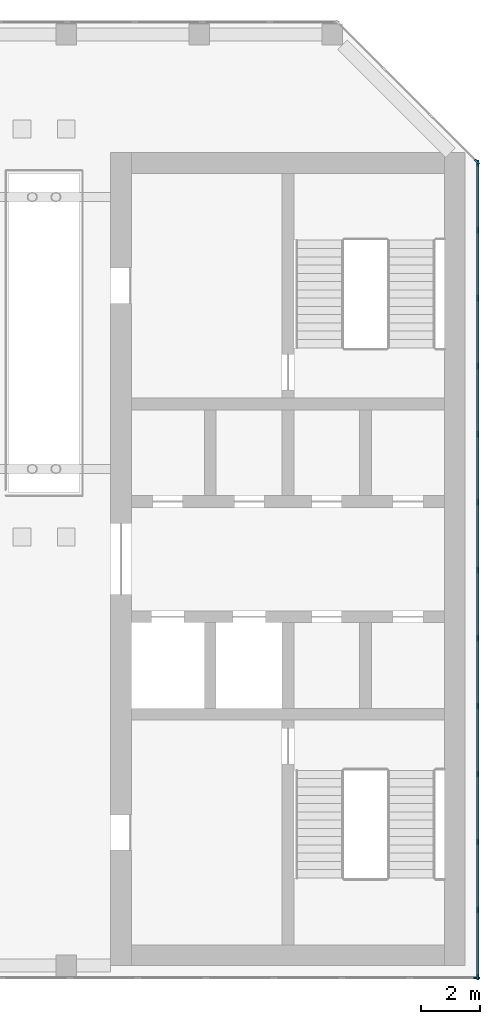
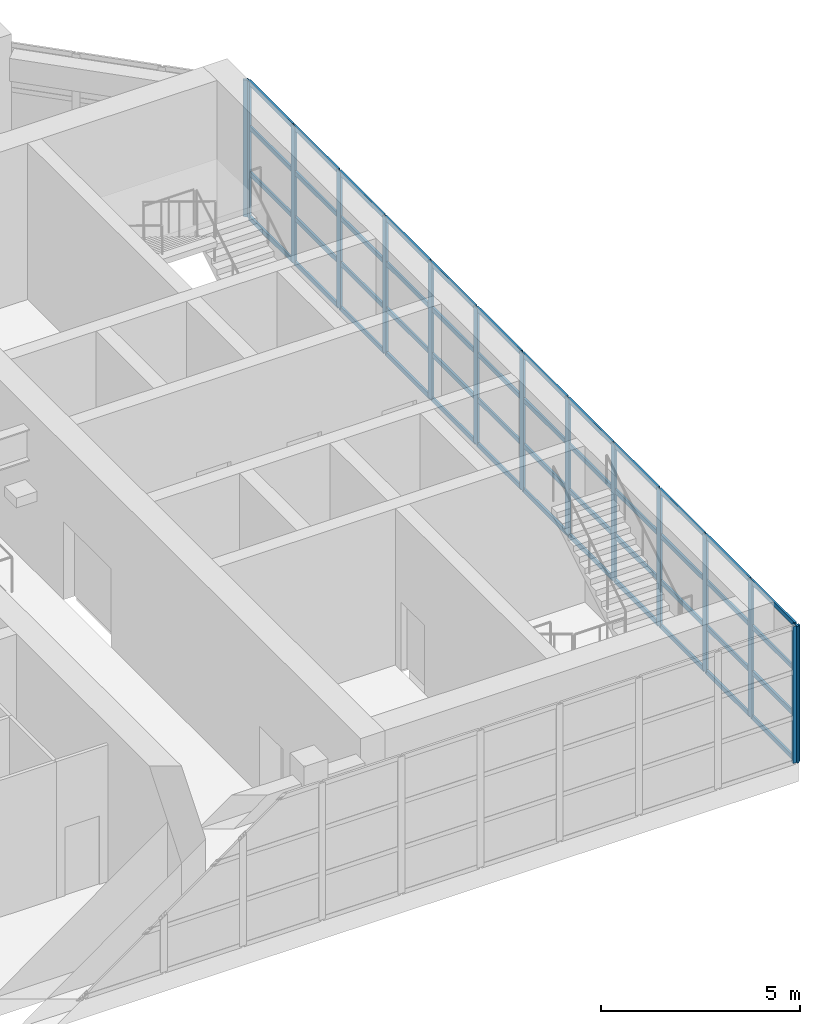
# One storey, part 5 of 13: 63 members, 3 elements without a shape of their own.
"""IFC4 building model written with IfcOpenShell, lengths in metres."""

from ifc_helpers import new_model, si_unit, direction, frame, origin, origin_2d, place, context, subcontext, project, spatial, rectangle, extrude, material, material_profile, profile_set, type_object, element, aggregate, save


model = new_model("IFC4")

# Units and contexts
model_context = context("Model", 3, precision=1e-05, world=origin(), true_north=direction((0.0, 1.0)))
body_context = subcontext(model_context, "Body", "Model", "MODEL_VIEW")
ifc_project = project(units=[si_unit("LENGTHUNIT", "METRE"), si_unit("AREAUNIT", "SQUARE_METRE"), si_unit("VOLUMEUNIT", "CUBIC_METRE"), si_unit("PLANEANGLEUNIT", "RADIAN"), si_unit("MASSUNIT", "GRAM", prefix="KILO")], contexts=[model_context])

# Site, building, storey
site_placement = place(None, origin())
site = spatial("IfcSite", under=ifc_project, at=site_placement, CompositionType="ELEMENT")
building_placement = place(site_placement, origin())
building = spatial("IfcBuilding", under=site, at=building_placement, Name="Corbel Stack Research Tower", CompositionType="ELEMENT")
storey_placement = place(building_placement, frame((0.0, 0.0, 316.60009765625)))
storey = spatial("IfcBuildingStorey", under=building, at=storey_placement, Name="L71", CompositionType="ELEMENT", Elevation=316.60009765625)

# Curtain wall, member
ifc_material_1 = material(Name="Aluminium and glass", Category="aluminium")
curtain_wall_type = type_object("IfcCurtainWallType", Name="CW4C damper hall glazing wall, corner", PredefinedType="NOTDEFINED", material=ifc_material_1)
curtain_wall_1_placement = place(storey_placement, origin())
curtain_wall_1 = element("IfcCurtainWall", 1, at=curtain_wall_1_placement, inside=storey, type_object=curtain_wall_type, Name="Damper hall curtain wall L71 5", PredefinedType="NOTDEFINED")
ifc_material_2 = material(Name="Aluminium, anodised", Category="aluminium")
ifc_material_profile_1 = material_profile(ifc_material_2, rectangle(XDim=0.06005859375, YDim=0.199951171875, at=origin_2d()), Name="CW4 mullion 60 x 200")
ifc_profile_set_1 = profile_set([ifc_material_profile_1], Name="Aluminium, anodised")
member_type_1 = type_object("IfcMemberType", Name="CW4 mullion 60 x 200", PredefinedType="MULLION", material=ifc_profile_set_1)
member_1_placement = place(storey_placement, frame((18.398681640625, 18.1953125, 0.0), z_axis=(0.0, 0.0, 1.0), x_axis=(0.707106781187, 0.707106781187, 0.0)))
member_1 = element("IfcMember", 2, at=member_1_placement, type_object=member_type_1, Name="CW4C mullion 4", PredefinedType="MULLION", context=body_context, shape_type="SweptSolid", body=[
    extrude(rectangle(XDim=0.06005859375, YDim=0.199951171875, at=origin_2d()), origin(), (0.0, 0.0, 1.0), 4.199951171875),
])
aggregate(curtain_wall_1, [member_1])

# Curtain wall, members
curtain_wall_2_placement = place(storey_placement, origin())
curtain_wall_2 = element("IfcCurtainWall", 3, at=curtain_wall_2_placement, inside=storey, type_object=curtain_wall_type, Name="Damper hall curtain wall L71 6", PredefinedType="NOTDEFINED")
member_2_placement = place(storey_placement, frame((18.419921875, 18.14404296875, 0.0), z_axis=(0.0, 0.0, 1.0), x_axis=(1.0, 0.0, 0.0)))
member_2 = element("IfcMember", 4, at=member_2_placement, type_object=member_type_1, Name="CW4C mullion 1", PredefinedType="MULLION", context=body_context, shape_type="SweptSolid", body=[
    extrude(rectangle(XDim=0.06005859375, YDim=0.199951171875, at=origin_2d()), origin(), (0.0, 0.0, 1.0), 4.199951171875),
])
member_3_placement = place(storey_placement, frame((18.419921875, 15.87451171875, 0.0), z_axis=(0.0, 0.0, 1.0), x_axis=(1.0, 0.0, 0.0)))
member_3 = element("IfcMember", 5, at=member_3_placement, type_object=member_type_1, Name="CW4C mullion 2", PredefinedType="MULLION", context=body_context, shape_type="SweptSolid", body=[
    extrude(rectangle(XDim=0.06005859375, YDim=0.199951171875, at=origin_2d()), origin(), (0.0, 0.0, 1.0), 4.199951171875),
])
member_4_placement = place(storey_placement, frame((18.419921875, 13.574951171875, 0.0), z_axis=(0.0, 0.0, 1.0), x_axis=(1.0, 0.0, 0.0)))
member_4 = element("IfcMember", 6, at=member_4_placement, type_object=member_type_1, Name="CW4C mullion 3", PredefinedType="MULLION", context=body_context, shape_type="SweptSolid", body=[
    extrude(rectangle(XDim=0.06005859375, YDim=0.199951171875, at=origin_2d()), origin(), (0.0, 0.0, 1.0), 4.199951171875),
])
member_5_placement = place(storey_placement, frame((18.419921875, 11.275390625, 0.0), z_axis=(0.0, 0.0, 1.0), x_axis=(1.0, 0.0, 0.0)))
member_5 = element("IfcMember", 7, at=member_5_placement, type_object=member_type_1, Name="CW4C mullion 4", PredefinedType="MULLION", context=body_context, shape_type="SweptSolid", body=[
    extrude(rectangle(XDim=0.06005859375, YDim=0.199951171875, at=origin_2d()), origin(), (0.0, 0.0, 1.0), 4.199951171875),
])
member_6_placement = place(storey_placement, frame((18.419921875, 8.97607421875, 0.0), z_axis=(0.0, 0.0, 1.0), x_axis=(1.0, 0.0, 0.0)))
member_6 = element("IfcMember", 8, at=member_6_placement, type_object=member_type_1, Name="CW4C mullion 5", PredefinedType="MULLION", context=body_context, shape_type="SweptSolid", body=[
    extrude(rectangle(XDim=0.06005859375, YDim=0.199951171875, at=origin_2d()), origin(), (0.0, 0.0, 1.0), 4.199951171875),
])
member_7_placement = place(storey_placement, frame((18.419921875, 6.676513671875, 0.0), z_axis=(0.0, 0.0, 1.0), x_axis=(1.0, 0.0, 0.0)))
member_7 = element("IfcMember", 9, at=member_7_placement, type_object=member_type_1, Name="CW4C mullion 6", PredefinedType="MULLION", context=body_context, shape_type="SweptSolid", body=[
    extrude(rectangle(XDim=0.06005859375, YDim=0.199951171875, at=origin_2d()), origin(), (0.0, 0.0, 1.0), 4.199951171875),
])
member_8_placement = place(storey_placement, frame((18.419921875, 4.376953125, 0.0), z_axis=(0.0, 0.0, 1.0), x_axis=(1.0, 0.0, 0.0)))
member_8 = element("IfcMember", 10, at=member_8_placement, type_object=member_type_1, Name="CW4C mullion 7", PredefinedType="MULLION", context=body_context, shape_type="SweptSolid", body=[
    extrude(rectangle(XDim=0.06005859375, YDim=0.199951171875, at=origin_2d()), origin(), (0.0, 0.0, 1.0), 4.199951171875),
])
member_9_placement = place(storey_placement, frame((18.419921875, 2.077392578125, 0.0), z_axis=(0.0, 0.0, 1.0), x_axis=(1.0, 0.0, 0.0)))
member_9 = element("IfcMember", 11, at=member_9_placement, type_object=member_type_1, Name="CW4C mullion 8", PredefinedType="MULLION", context=body_context, shape_type="SweptSolid", body=[
    extrude(rectangle(XDim=0.06005859375, YDim=0.199951171875, at=origin_2d()), origin(), (0.0, 0.0, 1.0), 4.199951171875),
])
member_10_placement = place(storey_placement, frame((18.419921875, -0.221923828125, 0.0), z_axis=(0.0, 0.0, 1.0), x_axis=(1.0, 0.0, 0.0)))
member_10 = element("IfcMember", 12, at=member_10_placement, type_object=member_type_1, Name="CW4C mullion 9", PredefinedType="MULLION", context=body_context, shape_type="SweptSolid", body=[
    extrude(rectangle(XDim=0.06005859375, YDim=0.199951171875, at=origin_2d()), origin(), (0.0, 0.0, 1.0), 4.199951171875),
])
member_11_placement = place(storey_placement, frame((18.419921875, -2.521484375, 0.0), z_axis=(0.0, 0.0, 1.0), x_axis=(1.0, 0.0, 0.0)))
member_11 = element("IfcMember", 13, at=member_11_placement, type_object=member_type_1, Name="CW4C mullion 10", PredefinedType="MULLION", context=body_context, shape_type="SweptSolid", body=[
    extrude(rectangle(XDim=0.06005859375, YDim=0.199951171875, at=origin_2d()), origin(), (0.0, 0.0, 1.0), 4.199951171875),
])
member_12_placement = place(storey_placement, frame((18.419921875, -4.821044921875, 0.0), z_axis=(0.0, 0.0, 1.0), x_axis=(1.0, 0.0, 0.0)))
member_12 = element("IfcMember", 14, at=member_12_placement, type_object=member_type_1, Name="CW4C mullion 11", PredefinedType="MULLION", context=body_context, shape_type="SweptSolid", body=[
    extrude(rectangle(XDim=0.06005859375, YDim=0.199951171875, at=origin_2d()), origin(), (0.0, 0.0, 1.0), 4.199951171875),
])
member_13_placement = place(storey_placement, frame((18.419921875, -7.12060546875, 0.0), z_axis=(0.0, 0.0, 1.0), x_axis=(1.0, 0.0, 0.0)))
member_13 = element("IfcMember", 15, at=member_13_placement, type_object=member_type_1, Name="CW4C mullion 12", PredefinedType="MULLION", context=body_context, shape_type="SweptSolid", body=[
    extrude(rectangle(XDim=0.06005859375, YDim=0.199951171875, at=origin_2d()), origin(), (0.0, 0.0, 1.0), 4.199951171875),
])
member_14_placement = place(storey_placement, frame((18.419921875, -9.389892578125, 0.0), z_axis=(0.0, 0.0, 1.0), x_axis=(1.0, 0.0, 0.0)))
member_14 = element("IfcMember", 16, at=member_14_placement, type_object=member_type_1, Name="CW4C mullion 13", PredefinedType="MULLION", context=body_context, shape_type="SweptSolid", body=[
    extrude(rectangle(XDim=0.06005859375, YDim=0.199951171875, at=origin_2d()), origin(), (0.0, 0.0, 1.0), 4.199951171875),
])

# Curtain wall, member
curtain_wall_3_placement = place(storey_placement, origin())
curtain_wall_3 = element("IfcCurtainWall", 17, at=curtain_wall_3_placement, inside=storey, type_object=curtain_wall_type, Name="Damper hall curtain wall L71 7", PredefinedType="NOTDEFINED")
member_15_placement = place(storey_placement, frame((18.389892578125, -9.419921875, 0.0), z_axis=(0.0, 0.0, 1.0), x_axis=(0.0, -1.0, 0.0)))
member_15 = element("IfcMember", 18, at=member_15_placement, type_object=member_type_1, Name="CW4C mullion 1", PredefinedType="MULLION", context=body_context, shape_type="SweptSolid", body=[
    extrude(rectangle(XDim=0.06005859375, YDim=0.199951171875, at=origin_2d()), origin(), (0.0, 0.0, 1.0), 4.199951171875),
])
aggregate(curtain_wall_3, [member_15])

# Member
ifc_material_3 = material(Name="Aluminium, anodised", Category="aluminium")
ifc_material_profile_2 = material_profile(ifc_material_3, rectangle(XDim=0.06005859375, YDim=0.139892578125, at=origin_2d()), Name="CW4 transom 60 x 140")
ifc_profile_set_2 = profile_set([ifc_material_profile_2], Name="Aluminium, anodised")
member_type_2 = type_object("IfcMemberType", Name="CW4 transom 60 x 140", PredefinedType="USERDEFINED", material=ifc_profile_set_2)
member_16_placement = place(storey_placement, frame((18.419921875, 18.114013671875, 0.02978515625), z_axis=(0.0, -1.0, 0.0), x_axis=(1.0, 0.0, 0.0)))
member_16 = element("IfcMember", 19, at=member_16_placement, type_object=member_type_2, Name="CW4C transom 1.1", ObjectType="TRANSOM", PredefinedType="USERDEFINED", context=body_context, shape_type="SweptSolid", body=[
    extrude(rectangle(XDim=0.06005859375, YDim=0.139892578125, at=origin_2d()), origin(), (0.0, 0.0, 1.0), 2.20947265625),
])

member_17_placement = place(storey_placement, frame((18.419921875, 18.114013671875, 1.39990234375), z_axis=(0.0, -1.0, 0.0), x_axis=(1.0, 0.0, 0.0)))
member_17 = element("IfcMember", 20, at=member_17_placement, type_object=member_type_2, Name="CW4C transom 1.2", ObjectType="TRANSOM", PredefinedType="USERDEFINED", context=body_context, shape_type="SweptSolid", body=[
    extrude(rectangle(XDim=0.06005859375, YDim=0.139892578125, at=origin_2d()), origin(), (0.0, 0.0, 1.0), 2.20947265625),
])

member_18_placement = place(storey_placement, frame((18.419921875, 18.114013671875, 2.7998046875), z_axis=(0.0, -1.0, 0.0), x_axis=(1.0, 0.0, 0.0)))
member_18 = element("IfcMember", 21, at=member_18_placement, type_object=member_type_2, Name="CW4C transom 1.3", ObjectType="TRANSOM", PredefinedType="USERDEFINED", context=body_context, shape_type="SweptSolid", body=[
    extrude(rectangle(XDim=0.06005859375, YDim=0.139892578125, at=origin_2d()), origin(), (0.0, 0.0, 1.0), 2.20947265625),
])

member_19_placement = place(storey_placement, frame((18.419921875, 18.114013671875, 4.169921875), z_axis=(0.0, -1.0, 0.0), x_axis=(1.0, 0.0, 0.0)))
member_19 = element("IfcMember", 22, at=member_19_placement, type_object=member_type_2, Name="CW4C transom 1.4", ObjectType="TRANSOM", PredefinedType="USERDEFINED", context=body_context, shape_type="SweptSolid", body=[
    extrude(rectangle(XDim=0.06005859375, YDim=0.139892578125, at=origin_2d()), origin(), (0.0, 0.0, 1.0), 2.20947265625),
])

member_20_placement = place(storey_placement, frame((18.419921875, 15.844482421875, 0.02978515625), z_axis=(0.0, -1.0, 0.0), x_axis=(1.0, 0.0, 0.0)))
member_20 = element("IfcMember", 23, at=member_20_placement, type_object=member_type_2, Name="CW4C transom 2.1", ObjectType="TRANSOM", PredefinedType="USERDEFINED", context=body_context, shape_type="SweptSolid", body=[
    extrude(rectangle(XDim=0.06005859375, YDim=0.139892578125, at=origin_2d()), origin(), (0.0, 0.0, 1.0), 2.239501953125),
])

member_21_placement = place(storey_placement, frame((18.419921875, 15.844482421875, 1.39990234375), z_axis=(0.0, -1.0, 0.0), x_axis=(1.0, 0.0, 0.0)))
member_21 = element("IfcMember", 24, at=member_21_placement, type_object=member_type_2, Name="CW4C transom 2.2", ObjectType="TRANSOM", PredefinedType="USERDEFINED", context=body_context, shape_type="SweptSolid", body=[
    extrude(rectangle(XDim=0.06005859375, YDim=0.139892578125, at=origin_2d()), origin(), (0.0, 0.0, 1.0), 2.239501953125),
])

member_22_placement = place(storey_placement, frame((18.419921875, 15.844482421875, 2.7998046875), z_axis=(0.0, -1.0, 0.0), x_axis=(1.0, 0.0, 0.0)))
member_22 = element("IfcMember", 25, at=member_22_placement, type_object=member_type_2, Name="CW4C transom 2.3", ObjectType="TRANSOM", PredefinedType="USERDEFINED", context=body_context, shape_type="SweptSolid", body=[
    extrude(rectangle(XDim=0.06005859375, YDim=0.139892578125, at=origin_2d()), origin(), (0.0, 0.0, 1.0), 2.239501953125),
])

member_23_placement = place(storey_placement, frame((18.419921875, 15.844482421875, 4.169921875), z_axis=(0.0, -1.0, 0.0), x_axis=(1.0, 0.0, 0.0)))
member_23 = element("IfcMember", 26, at=member_23_placement, type_object=member_type_2, Name="CW4C transom 2.4", ObjectType="TRANSOM", PredefinedType="USERDEFINED", context=body_context, shape_type="SweptSolid", body=[
    extrude(rectangle(XDim=0.06005859375, YDim=0.139892578125, at=origin_2d()), origin(), (0.0, 0.0, 1.0), 2.239501953125),
])

member_24_placement = place(storey_placement, frame((18.419921875, 13.544921875, 0.02978515625), z_axis=(0.0, -1.0, 0.0), x_axis=(1.0, 0.0, 0.0)))
member_24 = element("IfcMember", 27, at=member_24_placement, type_object=member_type_2, Name="CW4C transom 3.1", ObjectType="TRANSOM", PredefinedType="USERDEFINED", context=body_context, shape_type="SweptSolid", body=[
    extrude(rectangle(XDim=0.06005859375, YDim=0.139892578125, at=origin_2d()), origin(), (0.0, 0.0, 1.0), 2.239501953125),
])

member_25_placement = place(storey_placement, frame((18.419921875, 13.544921875, 1.39990234375), z_axis=(0.0, -1.0, 0.0), x_axis=(1.0, 0.0, 0.0)))
member_25 = element("IfcMember", 28, at=member_25_placement, type_object=member_type_2, Name="CW4C transom 3.2", ObjectType="TRANSOM", PredefinedType="USERDEFINED", context=body_context, shape_type="SweptSolid", body=[
    extrude(rectangle(XDim=0.06005859375, YDim=0.139892578125, at=origin_2d()), origin(), (0.0, 0.0, 1.0), 2.239501953125),
])

member_26_placement = place(storey_placement, frame((18.419921875, 13.544921875, 2.7998046875), z_axis=(0.0, -1.0, 0.0), x_axis=(1.0, 0.0, 0.0)))
member_26 = element("IfcMember", 29, at=member_26_placement, type_object=member_type_2, Name="CW4C transom 3.3", ObjectType="TRANSOM", PredefinedType="USERDEFINED", context=body_context, shape_type="SweptSolid", body=[
    extrude(rectangle(XDim=0.06005859375, YDim=0.139892578125, at=origin_2d()), origin(), (0.0, 0.0, 1.0), 2.239501953125),
])

member_27_placement = place(storey_placement, frame((18.419921875, 13.544921875, 4.169921875), z_axis=(0.0, -1.0, 0.0), x_axis=(1.0, 0.0, 0.0)))
member_27 = element("IfcMember", 30, at=member_27_placement, type_object=member_type_2, Name="CW4C transom 3.4", ObjectType="TRANSOM", PredefinedType="USERDEFINED", context=body_context, shape_type="SweptSolid", body=[
    extrude(rectangle(XDim=0.06005859375, YDim=0.139892578125, at=origin_2d()), origin(), (0.0, 0.0, 1.0), 2.239501953125),
])

member_28_placement = place(storey_placement, frame((18.419921875, 11.24560546875, 0.02978515625), z_axis=(0.0, -1.0, 0.0), x_axis=(1.0, 0.0, 0.0)))
member_28 = element("IfcMember", 31, at=member_28_placement, type_object=member_type_2, Name="CW4C transom 4.1", ObjectType="TRANSOM", PredefinedType="USERDEFINED", context=body_context, shape_type="SweptSolid", body=[
    extrude(rectangle(XDim=0.06005859375, YDim=0.139892578125, at=origin_2d()), origin(), (0.0, 0.0, 1.0), 2.239501953125),
])

member_29_placement = place(storey_placement, frame((18.419921875, 11.24560546875, 1.39990234375), z_axis=(0.0, -1.0, 0.0), x_axis=(1.0, 0.0, 0.0)))
member_29 = element("IfcMember", 32, at=member_29_placement, type_object=member_type_2, Name="CW4C transom 4.2", ObjectType="TRANSOM", PredefinedType="USERDEFINED", context=body_context, shape_type="SweptSolid", body=[
    extrude(rectangle(XDim=0.06005859375, YDim=0.139892578125, at=origin_2d()), origin(), (0.0, 0.0, 1.0), 2.239501953125),
])

member_30_placement = place(storey_placement, frame((18.419921875, 11.24560546875, 2.7998046875), z_axis=(0.0, -1.0, 0.0), x_axis=(1.0, 0.0, 0.0)))
member_30 = element("IfcMember", 33, at=member_30_placement, type_object=member_type_2, Name="CW4C transom 4.3", ObjectType="TRANSOM", PredefinedType="USERDEFINED", context=body_context, shape_type="SweptSolid", body=[
    extrude(rectangle(XDim=0.06005859375, YDim=0.139892578125, at=origin_2d()), origin(), (0.0, 0.0, 1.0), 2.239501953125),
])

member_31_placement = place(storey_placement, frame((18.419921875, 11.24560546875, 4.169921875), z_axis=(0.0, -1.0, 0.0), x_axis=(1.0, 0.0, 0.0)))
member_31 = element("IfcMember", 34, at=member_31_placement, type_object=member_type_2, Name="CW4C transom 4.4", ObjectType="TRANSOM", PredefinedType="USERDEFINED", context=body_context, shape_type="SweptSolid", body=[
    extrude(rectangle(XDim=0.06005859375, YDim=0.139892578125, at=origin_2d()), origin(), (0.0, 0.0, 1.0), 2.239501953125),
])

member_32_placement = place(storey_placement, frame((18.419921875, 8.946044921875, 0.02978515625), z_axis=(0.0, -1.0, 0.0), x_axis=(1.0, 0.0, 0.0)))
member_32 = element("IfcMember", 35, at=member_32_placement, type_object=member_type_2, Name="CW4C transom 5.1", ObjectType="TRANSOM", PredefinedType="USERDEFINED", context=body_context, shape_type="SweptSolid", body=[
    extrude(rectangle(XDim=0.06005859375, YDim=0.139892578125, at=origin_2d()), origin(), (0.0, 0.0, 1.0), 2.239501953125),
])

member_33_placement = place(storey_placement, frame((18.419921875, 8.946044921875, 1.39990234375), z_axis=(0.0, -1.0, 0.0), x_axis=(1.0, 0.0, 0.0)))
member_33 = element("IfcMember", 36, at=member_33_placement, type_object=member_type_2, Name="CW4C transom 5.2", ObjectType="TRANSOM", PredefinedType="USERDEFINED", context=body_context, shape_type="SweptSolid", body=[
    extrude(rectangle(XDim=0.06005859375, YDim=0.139892578125, at=origin_2d()), origin(), (0.0, 0.0, 1.0), 2.239501953125),
])

member_34_placement = place(storey_placement, frame((18.419921875, 8.946044921875, 2.7998046875), z_axis=(0.0, -1.0, 0.0), x_axis=(1.0, 0.0, 0.0)))
member_34 = element("IfcMember", 37, at=member_34_placement, type_object=member_type_2, Name="CW4C transom 5.3", ObjectType="TRANSOM", PredefinedType="USERDEFINED", context=body_context, shape_type="SweptSolid", body=[
    extrude(rectangle(XDim=0.06005859375, YDim=0.139892578125, at=origin_2d()), origin(), (0.0, 0.0, 1.0), 2.239501953125),
])

member_35_placement = place(storey_placement, frame((18.419921875, 8.946044921875, 4.169921875), z_axis=(0.0, -1.0, 0.0), x_axis=(1.0, 0.0, 0.0)))
member_35 = element("IfcMember", 38, at=member_35_placement, type_object=member_type_2, Name="CW4C transom 5.4", ObjectType="TRANSOM", PredefinedType="USERDEFINED", context=body_context, shape_type="SweptSolid", body=[
    extrude(rectangle(XDim=0.06005859375, YDim=0.139892578125, at=origin_2d()), origin(), (0.0, 0.0, 1.0), 2.239501953125),
])

member_36_placement = place(storey_placement, frame((18.419921875, 6.646484375, 0.02978515625), z_axis=(0.0, -1.0, 0.0), x_axis=(1.0, 0.0, 0.0)))
member_36 = element("IfcMember", 39, at=member_36_placement, type_object=member_type_2, Name="CW4C transom 6.1", ObjectType="TRANSOM", PredefinedType="USERDEFINED", context=body_context, shape_type="SweptSolid", body=[
    extrude(rectangle(XDim=0.06005859375, YDim=0.139892578125, at=origin_2d()), origin(), (0.0, 0.0, 1.0), 2.239501953125),
])

member_37_placement = place(storey_placement, frame((18.419921875, 6.646484375, 1.39990234375), z_axis=(0.0, -1.0, 0.0), x_axis=(1.0, 0.0, 0.0)))
member_37 = element("IfcMember", 40, at=member_37_placement, type_object=member_type_2, Name="CW4C transom 6.2", ObjectType="TRANSOM", PredefinedType="USERDEFINED", context=body_context, shape_type="SweptSolid", body=[
    extrude(rectangle(XDim=0.06005859375, YDim=0.139892578125, at=origin_2d()), origin(), (0.0, 0.0, 1.0), 2.239501953125),
])

member_38_placement = place(storey_placement, frame((18.419921875, 6.646484375, 2.7998046875), z_axis=(0.0, -1.0, 0.0), x_axis=(1.0, 0.0, 0.0)))
member_38 = element("IfcMember", 41, at=member_38_placement, type_object=member_type_2, Name="CW4C transom 6.3", ObjectType="TRANSOM", PredefinedType="USERDEFINED", context=body_context, shape_type="SweptSolid", body=[
    extrude(rectangle(XDim=0.06005859375, YDim=0.139892578125, at=origin_2d()), origin(), (0.0, 0.0, 1.0), 2.239501953125),
])

member_39_placement = place(storey_placement, frame((18.419921875, 6.646484375, 4.169921875), z_axis=(0.0, -1.0, 0.0), x_axis=(1.0, 0.0, 0.0)))
member_39 = element("IfcMember", 42, at=member_39_placement, type_object=member_type_2, Name="CW4C transom 6.4", ObjectType="TRANSOM", PredefinedType="USERDEFINED", context=body_context, shape_type="SweptSolid", body=[
    extrude(rectangle(XDim=0.06005859375, YDim=0.139892578125, at=origin_2d()), origin(), (0.0, 0.0, 1.0), 2.239501953125),
])

member_40_placement = place(storey_placement, frame((18.419921875, 4.346923828125, 0.02978515625), z_axis=(0.0, -1.0, 0.0), x_axis=(1.0, 0.0, 0.0)))
member_40 = element("IfcMember", 43, at=member_40_placement, type_object=member_type_2, Name="CW4C transom 7.1", ObjectType="TRANSOM", PredefinedType="USERDEFINED", context=body_context, shape_type="SweptSolid", body=[
    extrude(rectangle(XDim=0.06005859375, YDim=0.139892578125, at=origin_2d()), origin(), (0.0, 0.0, 1.0), 2.239501953125),
])

member_41_placement = place(storey_placement, frame((18.419921875, 4.346923828125, 1.39990234375), z_axis=(0.0, -1.0, 0.0), x_axis=(1.0, 0.0, 0.0)))
member_41 = element("IfcMember", 44, at=member_41_placement, type_object=member_type_2, Name="CW4C transom 7.2", ObjectType="TRANSOM", PredefinedType="USERDEFINED", context=body_context, shape_type="SweptSolid", body=[
    extrude(rectangle(XDim=0.06005859375, YDim=0.139892578125, at=origin_2d()), origin(), (0.0, 0.0, 1.0), 2.239501953125),
])

member_42_placement = place(storey_placement, frame((18.419921875, 4.346923828125, 2.7998046875), z_axis=(0.0, -1.0, 0.0), x_axis=(1.0, 0.0, 0.0)))
member_42 = element("IfcMember", 45, at=member_42_placement, type_object=member_type_2, Name="CW4C transom 7.3", ObjectType="TRANSOM", PredefinedType="USERDEFINED", context=body_context, shape_type="SweptSolid", body=[
    extrude(rectangle(XDim=0.06005859375, YDim=0.139892578125, at=origin_2d()), origin(), (0.0, 0.0, 1.0), 2.239501953125),
])

member_43_placement = place(storey_placement, frame((18.419921875, 4.346923828125, 4.169921875), z_axis=(0.0, -1.0, 0.0), x_axis=(1.0, 0.0, 0.0)))
member_43 = element("IfcMember", 46, at=member_43_placement, type_object=member_type_2, Name="CW4C transom 7.4", ObjectType="TRANSOM", PredefinedType="USERDEFINED", context=body_context, shape_type="SweptSolid", body=[
    extrude(rectangle(XDim=0.06005859375, YDim=0.139892578125, at=origin_2d()), origin(), (0.0, 0.0, 1.0), 2.239501953125),
])

member_44_placement = place(storey_placement, frame((18.419921875, 2.047607421875, 0.02978515625), z_axis=(0.0, -1.0, 0.0), x_axis=(1.0, 0.0, 0.0)))
member_44 = element("IfcMember", 47, at=member_44_placement, type_object=member_type_2, Name="CW4C transom 8.1", ObjectType="TRANSOM", PredefinedType="USERDEFINED", context=body_context, shape_type="SweptSolid", body=[
    extrude(rectangle(XDim=0.06005859375, YDim=0.139892578125, at=origin_2d()), origin(), (0.0, 0.0, 1.0), 2.239501953125),
])

member_45_placement = place(storey_placement, frame((18.419921875, 2.047607421875, 1.39990234375), z_axis=(0.0, -1.0, 0.0), x_axis=(1.0, 0.0, 0.0)))
member_45 = element("IfcMember", 48, at=member_45_placement, type_object=member_type_2, Name="CW4C transom 8.2", ObjectType="TRANSOM", PredefinedType="USERDEFINED", context=body_context, shape_type="SweptSolid", body=[
    extrude(rectangle(XDim=0.06005859375, YDim=0.139892578125, at=origin_2d()), origin(), (0.0, 0.0, 1.0), 2.239501953125),
])

member_46_placement = place(storey_placement, frame((18.419921875, 2.047607421875, 2.7998046875), z_axis=(0.0, -1.0, 0.0), x_axis=(1.0, 0.0, 0.0)))
member_46 = element("IfcMember", 49, at=member_46_placement, type_object=member_type_2, Name="CW4C transom 8.3", ObjectType="TRANSOM", PredefinedType="USERDEFINED", context=body_context, shape_type="SweptSolid", body=[
    extrude(rectangle(XDim=0.06005859375, YDim=0.139892578125, at=origin_2d()), origin(), (0.0, 0.0, 1.0), 2.239501953125),
])

member_47_placement = place(storey_placement, frame((18.419921875, 2.047607421875, 4.169921875), z_axis=(0.0, -1.0, 0.0), x_axis=(1.0, 0.0, 0.0)))
member_47 = element("IfcMember", 50, at=member_47_placement, type_object=member_type_2, Name="CW4C transom 8.4", ObjectType="TRANSOM", PredefinedType="USERDEFINED", context=body_context, shape_type="SweptSolid", body=[
    extrude(rectangle(XDim=0.06005859375, YDim=0.139892578125, at=origin_2d()), origin(), (0.0, 0.0, 1.0), 2.239501953125),
])

member_48_placement = place(storey_placement, frame((18.419921875, -0.251953125, 0.02978515625), z_axis=(0.0, -1.0, 0.0), x_axis=(1.0, 0.0, 0.0)))
member_48 = element("IfcMember", 51, at=member_48_placement, type_object=member_type_2, Name="CW4C transom 9.1", ObjectType="TRANSOM", PredefinedType="USERDEFINED", context=body_context, shape_type="SweptSolid", body=[
    extrude(rectangle(XDim=0.06005859375, YDim=0.139892578125, at=origin_2d()), origin(), (0.0, 0.0, 1.0), 2.239501953125),
])

member_49_placement = place(storey_placement, frame((18.419921875, -0.251953125, 1.39990234375), z_axis=(0.0, -1.0, 0.0), x_axis=(1.0, 0.0, 0.0)))
member_49 = element("IfcMember", 52, at=member_49_placement, type_object=member_type_2, Name="CW4C transom 9.2", ObjectType="TRANSOM", PredefinedType="USERDEFINED", context=body_context, shape_type="SweptSolid", body=[
    extrude(rectangle(XDim=0.06005859375, YDim=0.139892578125, at=origin_2d()), origin(), (0.0, 0.0, 1.0), 2.239501953125),
])

member_50_placement = place(storey_placement, frame((18.419921875, -0.251953125, 2.7998046875), z_axis=(0.0, -1.0, 0.0), x_axis=(1.0, 0.0, 0.0)))
member_50 = element("IfcMember", 53, at=member_50_placement, type_object=member_type_2, Name="CW4C transom 9.3", ObjectType="TRANSOM", PredefinedType="USERDEFINED", context=body_context, shape_type="SweptSolid", body=[
    extrude(rectangle(XDim=0.06005859375, YDim=0.139892578125, at=origin_2d()), origin(), (0.0, 0.0, 1.0), 2.239501953125),
])

member_51_placement = place(storey_placement, frame((18.419921875, -0.251953125, 4.169921875), z_axis=(0.0, -1.0, 0.0), x_axis=(1.0, 0.0, 0.0)))
member_51 = element("IfcMember", 54, at=member_51_placement, type_object=member_type_2, Name="CW4C transom 9.4", ObjectType="TRANSOM", PredefinedType="USERDEFINED", context=body_context, shape_type="SweptSolid", body=[
    extrude(rectangle(XDim=0.06005859375, YDim=0.139892578125, at=origin_2d()), origin(), (0.0, 0.0, 1.0), 2.239501953125),
])

member_52_placement = place(storey_placement, frame((18.419921875, -2.551513671875, 0.02978515625), z_axis=(0.0, -1.0, 0.0), x_axis=(1.0, 0.0, 0.0)))
member_52 = element("IfcMember", 55, at=member_52_placement, type_object=member_type_2, Name="CW4C transom 10.1", ObjectType="TRANSOM", PredefinedType="USERDEFINED", context=body_context, shape_type="SweptSolid", body=[
    extrude(rectangle(XDim=0.06005859375, YDim=0.139892578125, at=origin_2d()), origin(), (0.0, 0.0, 1.0), 2.239501953125),
])

member_53_placement = place(storey_placement, frame((18.419921875, -2.551513671875, 1.39990234375), z_axis=(0.0, -1.0, 0.0), x_axis=(1.0, 0.0, 0.0)))
member_53 = element("IfcMember", 56, at=member_53_placement, type_object=member_type_2, Name="CW4C transom 10.2", ObjectType="TRANSOM", PredefinedType="USERDEFINED", context=body_context, shape_type="SweptSolid", body=[
    extrude(rectangle(XDim=0.06005859375, YDim=0.139892578125, at=origin_2d()), origin(), (0.0, 0.0, 1.0), 2.239501953125),
])

member_54_placement = place(storey_placement, frame((18.419921875, -2.551513671875, 2.7998046875), z_axis=(0.0, -1.0, 0.0), x_axis=(1.0, 0.0, 0.0)))
member_54 = element("IfcMember", 57, at=member_54_placement, type_object=member_type_2, Name="CW4C transom 10.3", ObjectType="TRANSOM", PredefinedType="USERDEFINED", context=body_context, shape_type="SweptSolid", body=[
    extrude(rectangle(XDim=0.06005859375, YDim=0.139892578125, at=origin_2d()), origin(), (0.0, 0.0, 1.0), 2.239501953125),
])

member_55_placement = place(storey_placement, frame((18.419921875, -2.551513671875, 4.169921875), z_axis=(0.0, -1.0, 0.0), x_axis=(1.0, 0.0, 0.0)))
member_55 = element("IfcMember", 58, at=member_55_placement, type_object=member_type_2, Name="CW4C transom 10.4", ObjectType="TRANSOM", PredefinedType="USERDEFINED", context=body_context, shape_type="SweptSolid", body=[
    extrude(rectangle(XDim=0.06005859375, YDim=0.139892578125, at=origin_2d()), origin(), (0.0, 0.0, 1.0), 2.239501953125),
])

member_56_placement = place(storey_placement, frame((18.419921875, -4.85107421875, 0.02978515625), z_axis=(0.0, -1.0, 0.0), x_axis=(1.0, 0.0, 0.0)))
member_56 = element("IfcMember", 59, at=member_56_placement, type_object=member_type_2, Name="CW4C transom 11.1", ObjectType="TRANSOM", PredefinedType="USERDEFINED", context=body_context, shape_type="SweptSolid", body=[
    extrude(rectangle(XDim=0.06005859375, YDim=0.139892578125, at=origin_2d()), origin(), (0.0, 0.0, 1.0), 2.239501953125),
])

member_57_placement = place(storey_placement, frame((18.419921875, -4.85107421875, 1.39990234375), z_axis=(0.0, -1.0, 0.0), x_axis=(1.0, 0.0, 0.0)))
member_57 = element("IfcMember", 60, at=member_57_placement, type_object=member_type_2, Name="CW4C transom 11.2", ObjectType="TRANSOM", PredefinedType="USERDEFINED", context=body_context, shape_type="SweptSolid", body=[
    extrude(rectangle(XDim=0.06005859375, YDim=0.139892578125, at=origin_2d()), origin(), (0.0, 0.0, 1.0), 2.239501953125),
])

member_58_placement = place(storey_placement, frame((18.419921875, -4.85107421875, 2.7998046875), z_axis=(0.0, -1.0, 0.0), x_axis=(1.0, 0.0, 0.0)))
member_58 = element("IfcMember", 61, at=member_58_placement, type_object=member_type_2, Name="CW4C transom 11.3", ObjectType="TRANSOM", PredefinedType="USERDEFINED", context=body_context, shape_type="SweptSolid", body=[
    extrude(rectangle(XDim=0.06005859375, YDim=0.139892578125, at=origin_2d()), origin(), (0.0, 0.0, 1.0), 2.239501953125),
])

member_59_placement = place(storey_placement, frame((18.419921875, -4.85107421875, 4.169921875), z_axis=(0.0, -1.0, 0.0), x_axis=(1.0, 0.0, 0.0)))
member_59 = element("IfcMember", 62, at=member_59_placement, type_object=member_type_2, Name="CW4C transom 11.4", ObjectType="TRANSOM", PredefinedType="USERDEFINED", context=body_context, shape_type="SweptSolid", body=[
    extrude(rectangle(XDim=0.06005859375, YDim=0.139892578125, at=origin_2d()), origin(), (0.0, 0.0, 1.0), 2.239501953125),
])

member_60_placement = place(storey_placement, frame((18.419921875, -7.150390625, 0.02978515625), z_axis=(0.0, -1.0, 0.0), x_axis=(1.0, 0.0, 0.0)))
member_60 = element("IfcMember", 63, at=member_60_placement, type_object=member_type_2, Name="CW4C transom 12.1", ObjectType="TRANSOM", PredefinedType="USERDEFINED", context=body_context, shape_type="SweptSolid", body=[
    extrude(rectangle(XDim=0.06005859375, YDim=0.139892578125, at=origin_2d()), origin(), (0.0, 0.0, 1.0), 2.209716796875),
])

member_61_placement = place(storey_placement, frame((18.419921875, -7.150390625, 1.39990234375), z_axis=(0.0, -1.0, 0.0), x_axis=(1.0, 0.0, 0.0)))
member_61 = element("IfcMember", 64, at=member_61_placement, type_object=member_type_2, Name="CW4C transom 12.2", ObjectType="TRANSOM", PredefinedType="USERDEFINED", context=body_context, shape_type="SweptSolid", body=[
    extrude(rectangle(XDim=0.06005859375, YDim=0.139892578125, at=origin_2d()), origin(), (0.0, 0.0, 1.0), 2.209716796875),
])

member_62_placement = place(storey_placement, frame((18.419921875, -7.150390625, 2.7998046875), z_axis=(0.0, -1.0, 0.0), x_axis=(1.0, 0.0, 0.0)))
member_62 = element("IfcMember", 65, at=member_62_placement, type_object=member_type_2, Name="CW4C transom 12.3", ObjectType="TRANSOM", PredefinedType="USERDEFINED", context=body_context, shape_type="SweptSolid", body=[
    extrude(rectangle(XDim=0.06005859375, YDim=0.139892578125, at=origin_2d()), origin(), (0.0, 0.0, 1.0), 2.209716796875),
])

member_63_placement = place(storey_placement, frame((18.419921875, -7.150390625, 4.169921875), z_axis=(0.0, -1.0, 0.0), x_axis=(1.0, 0.0, 0.0)))
member_63 = element("IfcMember", 66, at=member_63_placement, type_object=member_type_2, Name="CW4C transom 12.4", ObjectType="TRANSOM", PredefinedType="USERDEFINED", context=body_context, shape_type="SweptSolid", body=[
    extrude(rectangle(XDim=0.06005859375, YDim=0.139892578125, at=origin_2d()), origin(), (0.0, 0.0, 1.0), 2.209716796875),
])

aggregate(curtain_wall_2, [member_2, member_3, member_4, member_5, member_6, member_7, member_8, member_9, member_10, member_11, member_12, member_13, member_14, member_16, member_17, member_18, member_19, member_20, member_21, member_22, member_23, member_24, member_25, member_26, member_27, member_28, member_29, member_30, member_31, member_32, member_33, member_34, member_35, member_36, member_37, member_38, member_39, member_40, member_41, member_42, member_43, member_44, member_45, member_46, member_47, member_48, member_49, member_50, member_51, member_52, member_53, member_54, member_55, member_56, member_57, member_58, member_59, member_60, member_61, member_62, member_63])

save(model, "model.ifc")
